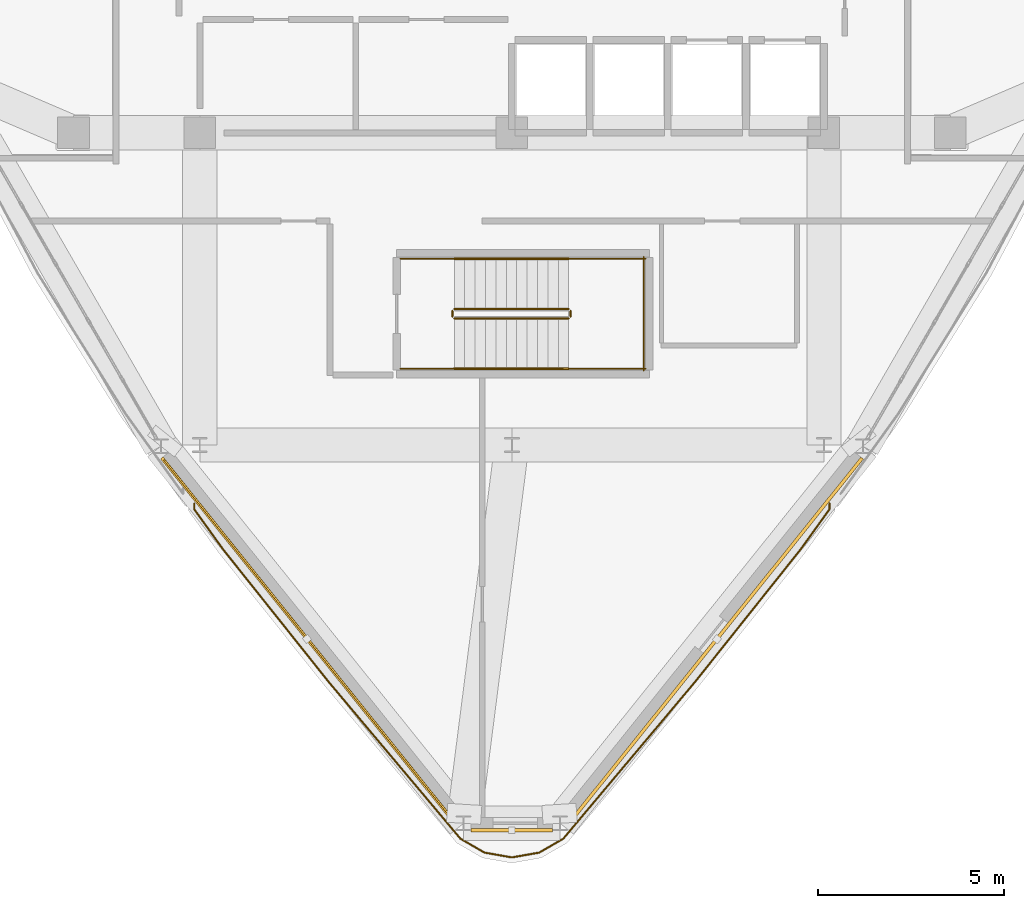
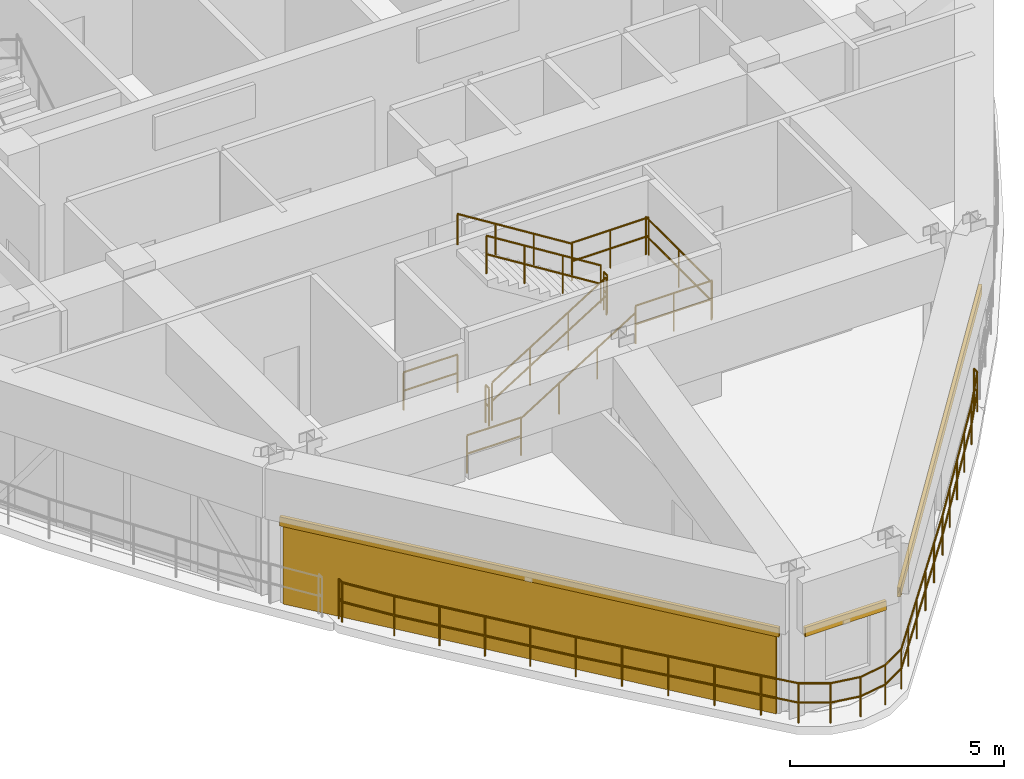
# One storey, part 15 of 18: 12 railings, 3 shading devices, 1 covering.
"""IFC4 building model written with IfcOpenShell, lengths in metres."""

import ifcopenshell
import ifcopenshell.guid

model = None  # the IFC model being written
_history = None  # IfcOwnerHistory: only IFC2X3 demands one
_inside = {}  # id of a spatial element -> (the spatial element, [elements in it])
_under = {}  # id of a project, library or spatial element -> (it, [spatial elements below it])
_declared = {}  # id of a project -> (the project, [libraries it declares])
_typed = {}  # id of a type object -> (the type object, [elements of that type])
_made_of = {}  # id of a material, layer set ... -> (it, [elements and type objects made of it])


def new_model(schema):
    """Start an empty IFC model of exactly this schema.

    Asked for "IFC4X3", IfcOpenShell would pick the latest addendum, in which some entities
    have other attributes; the version numbers below select the first issue.
    IFC2X3 requires an IfcOwnerHistory on every rooted entity: one is made here for all.
    """
    global model, _history
    if schema == "IFC4X3":
        model = ifcopenshell.file(schema_version=(4, 3, 0, 0))
    else:
        model = ifcopenshell.file(schema=schema)
    _inside.clear()
    _under.clear()
    _declared.clear()
    _typed.clear()
    _made_of.clear()
    _history = None
    if model.schema == "IFC2X3":
        org = make("IfcOrganization", Name="unknown")
        user = make(
            "IfcPersonAndOrganization",
            ThePerson=make("IfcPerson", FamilyName="unknown"),
            TheOrganization=org,
        )
        app = make(
            "IfcApplication",
            ApplicationDeveloper=org,
            Version="unknown",
            ApplicationFullName="unknown",
            ApplicationIdentifier="unknown",
        )
        _history = make(
            "IfcOwnerHistory",
            OwningUser=user,
            OwningApplication=app,
            ChangeAction="ADDED",
            CreationDate=0,
        )
    return model


def make(cls, **values):
    """One entity of the class cls with the attributes given. An attribute that is None is left unset."""
    return model.create_entity(
        cls, **{name: value for name, value in values.items() if value is not None}
    )


def rooted(cls, **values):
    """An entity with a GlobalId (a new one), such as an element, a storey or a relation."""
    return make(cls, GlobalId=ifcopenshell.guid.new(), OwnerHistory=_history, **values)


def si_unit(unit_type, name, prefix=None):
    """IfcSIUnit, for example si_unit("LENGTHUNIT", "METRE", prefix="MILLI")."""
    return make("IfcSIUnit", UnitType=unit_type, Prefix=prefix, Name=name)


def derived_unit(unit_type, elements):
    """IfcDerivedUnit: a product of units, each with its exponent."""
    return make(
        "IfcDerivedUnit",
        Elements=[
            make("IfcDerivedUnitElement", Unit=unit, Exponent=power)
            for unit, power in elements
        ],
        UnitType=unit_type,
    )


def assignment(units):
    """IfcUnitAssignment: the units of a project."""
    return None if units is None else make("IfcUnitAssignment", Units=units)


def point(xyz):
    """IfcCartesianPoint."""
    return None if xyz is None else make("IfcCartesianPoint", Coordinates=xyz)


def direction(xyz):
    """IfcDirection."""
    return None if xyz is None else make("IfcDirection", DirectionRatios=xyz)


def frame(location, z_axis=None, x_axis=None):
    """IfcAxis2Placement3D, a coordinate frame: its origin and axes. An axis left out is left unset."""
    return make(
        "IfcAxis2Placement3D",
        Location=point(location),
        Axis=direction(z_axis),
        RefDirection=direction(x_axis),
    )


def frame_2d(location, x_axis=None):
    """IfcAxis2Placement2D, a coordinate frame in the plane: its origin and x axis."""
    return make(
        "IfcAxis2Placement2D", Location=point(location), RefDirection=direction(x_axis)
    )


def origin():
    """The frame at (0, 0, 0) with its axes left unset."""
    return frame((0.0, 0.0, 0.0))


def origin_2d():
    """The frame at (0, 0) in the plane with its x axis left unset."""
    return frame_2d((0.0, 0.0))


def place(relative_to, where):
    """IfcLocalPlacement: puts the frame where relative to a parent placement (None: the world)."""
    return make(
        "IfcLocalPlacement", PlacementRelTo=relative_to, RelativePlacement=where
    )


def context(
    kind, dimensions, precision=None, world=None, true_north=None, identifier=None
):
    """IfcGeometricRepresentationContext, for example the 3D "Model" context."""
    return make(
        "IfcGeometricRepresentationContext",
        ContextIdentifier=identifier,
        ContextType=kind,
        CoordinateSpaceDimension=dimensions,
        Precision=precision,
        WorldCoordinateSystem=world,
        TrueNorth=true_north,
    )


def subcontext(parent, identifier, kind, view, scale=None):
    """IfcGeometricRepresentationSubContext, for example "Body" below "Model"."""
    return make(
        "IfcGeometricRepresentationSubContext",
        ContextIdentifier=identifier,
        ContextType=kind,
        ParentContext=parent,
        TargetScale=scale,
        TargetView=view,
    )


def project(units=None, contexts=None):
    """IfcProject with its units and contexts."""
    return rooted(
        "IfcProject",
        Name="project",
        RepresentationContexts=contexts,
        UnitsInContext=assignment(units),
    )


def spatial(cls, under=None, at=None, **own):
    """A site, building, storey or space (cls), placed at a placement, below another one or the project."""
    s = rooted(cls, ObjectPlacement=at, **own)
    if under is not None:
        _under.setdefault(under.id(), (under, []))[1].append(s)
    return s


def polyline(points):
    """IfcPolyline through the points."""
    return make("IfcPolyline", Points=[point(p) for p in points])


def profile(cls, at=None, kind="AREA", **sizes):
    """A parametric profile (cls). Its sizes go by their IFC names, for example OverallWidth=200.0."""
    return make(cls, ProfileType=kind, Position=at, **sizes)


def hollow_rectangle(**sizes):
    """IfcRectangleHollowProfileDef."""
    return profile("IfcRectangleHollowProfileDef", **sizes)


def circle(**sizes):
    """IfcCircleProfileDef."""
    return profile("IfcCircleProfileDef", **sizes)


def outline(outer, holes=None, kind="AREA"):
    """IfcArbitraryClosedProfileDef: a profile drawn as a closed curve; with holes, ...WithVoids."""
    if holes is None:
        return make("IfcArbitraryClosedProfileDef", ProfileType=kind, OuterCurve=outer)
    return make(
        "IfcArbitraryProfileDefWithVoids",
        ProfileType=kind,
        OuterCurve=outer,
        InnerCurves=holes,
    )


def extrude(swept, where, along, depth):
    """IfcExtrudedAreaSolid: the profile swept, set in the frame where, extruded along a direction by depth."""
    return make(
        "IfcExtrudedAreaSolid",
        SweptArea=swept,
        Position=where,
        ExtrudedDirection=direction(along),
        Depth=depth,
    )


def shape(context_of_items, identifier, shape_type, items):
    """IfcShapeRepresentation: the items that make up one representation, for example the "Body"."""
    return make(
        "IfcShapeRepresentation",
        ContextOfItems=context_of_items,
        RepresentationIdentifier=identifier,
        RepresentationType=shape_type,
        Items=items,
    )


def source(mapping_origin, context_of_items, identifier, shape_type, items):
    """IfcRepresentationMap: a shape defined once, which mapped items show again and again."""
    return make(
        "IfcRepresentationMap",
        MappingOrigin=mapping_origin,
        MappedRepresentation=shape(context_of_items, identifier, shape_type, items),
    )


def transform(
    local_origin,
    x_axis=None,
    y_axis=None,
    z_axis=None,
    scale=None,
    scale2=None,
    scale3=None,
    uniform=True,
):
    """IfcCartesianTransformationOperator3D, or its non-uniform kind. x_axis, y_axis, z_axis: its Axis1, 2, 3."""
    if uniform:
        return make(
            "IfcCartesianTransformationOperator3D",
            Axis1=direction(x_axis),
            Axis2=direction(y_axis),
            LocalOrigin=point(local_origin),
            Scale=scale,
            Axis3=direction(z_axis),
        )
    return make(
        "IfcCartesianTransformationOperator3DnonUniform",
        Axis1=direction(x_axis),
        Axis2=direction(y_axis),
        LocalOrigin=point(local_origin),
        Scale=scale,
        Axis3=direction(z_axis),
        Scale2=scale2,
        Scale3=scale3,
    )


def mapped(mapping_source, mapping_target):
    """IfcMappedItem: shows the shape of a source again, moved by a transform."""
    return make(
        "IfcMappedItem", MappingSource=mapping_source, MappingTarget=mapping_target
    )


def material(Name=None, Category=None):
    """IfcMaterial."""
    return make("IfcMaterial", Name=Name, Category=Category)


def layer(
    of_material, thickness, ventilated=None, Name=None, Category=None, Priority=None
):
    """IfcMaterialLayer: one layer of a wall or slab, of a material (None: an air gap)."""
    return make(
        "IfcMaterialLayer",
        Material=of_material,
        LayerThickness=thickness,
        IsVentilated=ventilated,
        Name=Name,
        Category=Category,
        Priority=Priority,
    )


def layer_set(layers, Name=None):
    """IfcMaterialLayerSet."""
    return make("IfcMaterialLayerSet", MaterialLayers=layers, LayerSetName=Name)


def material_profile(
    of_material, cross_section, Name=None, Category=None, Priority=None
):
    """IfcMaterialProfile: a cross section and its material."""
    return make(
        "IfcMaterialProfile",
        Name=Name,
        Material=of_material,
        Profile=cross_section,
        Priority=Priority,
        Category=Category,
    )


def profile_set(profiles, Name=None, composite=None):
    """IfcMaterialProfileSet."""
    return make(
        "IfcMaterialProfileSet",
        Name=Name,
        MaterialProfiles=profiles,
        CompositeProfile=composite,
    )


def made_of(thing, what):
    """Note that an element or type object is made of a material, layer set ...; save() writes the relation."""
    if what is not None:
        _made_of.setdefault(what.id(), (what, []))[1].append(thing)
    return thing


def type_object(cls, material=None, **own):
    """A type object (cls), such as IfcWallType, which elements share."""
    return made_of(rooted(cls, **own), material)


def element(
    cls,
    number,
    at=None,
    inside=None,
    cuts=None,
    type_object=None,
    material=None,
    context=None,
    identifier="Body",
    shape_type=None,
    held_by="IfcProductDefinitionShape",
    body=None,
    shapes=None,
    **own,
):
    """One element of the class cls, such as IfcWall. Its Tag is "e" and its number.

    at: its placement. inside: the storey or other place that contains it. cuts: it is an
    opening in that element (IfcRelVoidsElement). A single representation is given by context,
    identifier, shape_type and body (its items); several are given by shapes. held_by: the class
    of the entity that holds the representations. save() writes the other relations.
    """
    e = rooted(cls, Tag="e%d" % number, ObjectPlacement=at, **own)
    if body is not None:
        shapes = [shape(context, identifier, shape_type, body)]
    if shapes is not None:
        e.Representation = make(held_by, Representations=shapes)
    if inside is not None:
        _inside.setdefault(inside.id(), (inside, []))[1].append(e)
    if cuts is not None:
        rooted(
            "IfcRelVoidsElement", RelatingBuildingElement=cuts, RelatedOpeningElement=e
        )
    if type_object is not None:
        _typed.setdefault(type_object.id(), (type_object, []))[1].append(e)
    return made_of(e, material)


def aggregate(whole, parts):
    """IfcRelAggregates: a whole, such as a stair, and the parts it consists of."""
    return rooted("IfcRelAggregates", RelatingObject=whole, RelatedObjects=parts)


def save(model, path):
    """Write the relations noted so far, then the file.

    IfcRelAggregates (storeys below a building ...), IfcRelContainedInSpatialStructure (elements
    in a storey), IfcRelDefinesByType, IfcRelAssociatesMaterial and IfcRelDeclares: one each for
    every whole, place, type object, material and project.
    """
    for whole, parts in _under.values():
        aggregate(whole, parts)
    for where, things in _inside.values():
        rooted(
            "IfcRelContainedInSpatialStructure",
            RelatedElements=things,
            RelatingStructure=where,
        )
    for kind, things in _typed.values():
        rooted("IfcRelDefinesByType", RelatedObjects=things, RelatingType=kind)
    for what, things in _made_of.values():
        rooted("IfcRelAssociatesMaterial", RelatedObjects=things, RelatingMaterial=what)
    for by, libraries in _declared.values():
        rooted("IfcRelDeclares", RelatingContext=by, RelatedDefinitions=libraries)
    model.write(path)


model = new_model("IFC4")

# Units and contexts
model_context = context("Model", 3, precision=1e-05, world=origin(), true_north=direction((0.0, 1.0)))
body_context = subcontext(model_context, "Body", "Model", "MODEL_VIEW")
ifc_project = project(units=[si_unit("LENGTHUNIT", "METRE"), si_unit("AREAUNIT", "SQUARE_METRE"), si_unit("VOLUMEUNIT", "CUBIC_METRE"), si_unit("PLANEANGLEUNIT", "RADIAN"), si_unit("MASSUNIT", "GRAM", prefix="KILO"), derived_unit("THERMALTRANSMITTANCEUNIT", [(si_unit("POWERUNIT", "WATT"), 1), (si_unit("LENGTHUNIT", "METRE"), -2), (si_unit("THERMODYNAMICTEMPERATUREUNIT", "KELVIN"), -1)])], contexts=[model_context])

# Site, building, storey
site_placement = place(None, origin())
site = spatial("IfcSite", under=ifc_project, at=site_placement, CompositionType="ELEMENT")
building_placement = place(site_placement, origin())
building = spatial("IfcBuilding", under=site, at=building_placement, Name="Korsvarv Bourse and Concert Hall", CompositionType="ELEMENT")
storey_placement = place(building_placement, frame((0.0, 0.0, 275.39990234375)))
storey = spatial("IfcBuildingStorey", under=building, at=storey_placement, Name="L72", CompositionType="ELEMENT", Elevation=275.39990234375)

# Covering
ifc_material_1 = material(Name="Warm iron-oxide extruded terracotta rainscreen tile", Category="ceramic")
ifc_layer = layer(ifc_material_1, 0.044921875)
ifc_layer_set = layer_set([ifc_layer], Name="Warm iron-oxide extruded terracotta rainscreen tile")
covering_type = type_object("IfcCoveringType", Name="COV-CLD-TC", PredefinedType="CLADDING", material=ifc_layer_set)
covering_placement = place(storey_placement, origin())
element("IfcCovering", 1, at=covering_placement, inside=storey, type_object=covering_type, Name="L72 fluted terracotta cladding panel EW-L72-B08", PredefinedType="CLADDING", context=body_context, shape_type="SweptSolid", body=[
    extrude(outline(polyline([(26.6611328125, 23.613037109375), (34.381103515625, 13.996337890625), (34.34619140625, 13.968017578125), (26.626220703125, 23.5849609375), (26.6611328125, 23.613037109375)])), origin(), (0.0, 0.0, 1.0), 2.2001953125),
])

# Railings
ifc_material_2 = material(Name="Laminated safety glass and stainless Steel S355 balustrade", Category="steel")
railing_type_1 = type_object("IfcRailingType", Name="RL-BAL-EXT", PredefinedType="BALUSTRADE", material=ifc_material_2)
railing_1_placement = place(storey_placement, frame((44.550048828125, 22.423095703125, 0.0)))
element("IfcRailing", 2, at=railing_1_placement, inside=storey, type_object=railing_type_1, Name="L72 terrace perimeter balustrade SKYG3-1", PredefinedType="BALUSTRADE", context=body_context, shape_type="SweptSolid", body=[
    extrude(circle(Radius=0.02392578125, at=origin_2d()), frame((0.0, 0.0, 1.1259765625), z_axis=(0.0, -1.0, 0.0), x_axis=(1.0, 0.0, 0.0)), (0.0, 0.0, 1.0), 0.155517578125),
    extrude(circle(Radius=0.02392578125, at=origin_2d()), frame((0.0, 0.0, 0.574951171875), z_axis=(0.0, -1.0, 0.0), x_axis=(1.0, 0.0, 0.0)), (0.0, 0.0, 1.0), 0.155517578125),
    extrude(circle(Radius=0.02392578125, at=origin_2d()), frame((0.0, -0.155517578125, 1.1259765625), z_axis=(-0.584058636219, -0.81171146934, 0.0), x_axis=(0.81171146934, -0.584058636219, 0.0)), (0.0, 0.0, 1.0), 1.3330078125),
    extrude(circle(Radius=0.02392578125, at=origin_2d()), frame((0.0, -0.155517578125, 0.574951171875), z_axis=(-0.584058636219, -0.81171146934, 0.0), x_axis=(0.81171146934, -0.584058636219, 0.0)), (0.0, 0.0, 1.0), 1.3330078125),
    extrude(circle(Radius=0.02392578125, at=origin_2d()), frame((-0.778564453125, -1.237548828125, 1.1259765625), z_axis=(-0.623102616337, -0.782140095836, 0.0), x_axis=(0.782140095836, -0.623102616337, 0.0)), (0.0, 0.0, 1.0), 4.547119140625),
    extrude(circle(Radius=0.02392578125, at=origin_2d()), frame((-0.778564453125, -1.237548828125, 0.574951171875), z_axis=(-0.623102616337, -0.782140095836, 0.0), x_axis=(0.782140095836, -0.623102616337, 0.0)), (0.0, 0.0, 1.0), 4.547119140625),
    extrude(circle(Radius=0.02392578125, at=origin_2d()), frame((-3.61181640625, -4.7939453125, 1.1259765625), z_axis=(-0.6434039364, -0.765526860812, 0.0), x_axis=(0.765526860812, -0.6434039364, 0.0)), (0.0, 0.0, 1.0), 4.593994140625),
    extrude(circle(Radius=0.02392578125, at=origin_2d()), frame((-3.61181640625, -4.7939453125, 0.574951171875), z_axis=(-0.6434039364, -0.765526860812, 0.0), x_axis=(0.765526860812, -0.6434039364, 0.0)), (0.0, 0.0, 1.0), 4.593994140625),
    extrude(circle(Radius=0.02392578125, at=origin_2d()), frame((-6.567626953125, -8.310791015625, 1.1259765625), z_axis=(-0.642865748238, -0.765978870298, 0.0), x_axis=(0.765978870298, -0.642865748238, 0.0)), (0.0, 0.0, 1.0), 0.93017578125),
    extrude(circle(Radius=0.02392578125, at=origin_2d()), frame((-6.567626953125, -8.310791015625, 0.574951171875), z_axis=(-0.642865748238, -0.765978870298, 0.0), x_axis=(0.765978870298, -0.642865748238, 0.0)), (0.0, 0.0, 1.0), 0.93017578125),
    extrude(circle(Radius=0.02392578125, at=origin_2d()), frame((-7.16552734375, -9.023193359375, 1.1259765625), z_axis=(-0.865984448825, -0.500070929363, 0.0), x_axis=(0.500070929363, -0.865984448825, 0.0)), (0.0, 0.0, 1.0), 0.748046875),
    extrude(circle(Radius=0.02392578125, at=origin_2d()), frame((-7.16552734375, -9.023193359375, 0.574951171875), z_axis=(-0.865984448825, -0.500070929363, 0.0), x_axis=(0.500070929363, -0.865984448825, 0.0)), (0.0, 0.0, 1.0), 0.748046875),
    extrude(circle(Radius=0.02392578125, at=origin_2d()), frame((-7.813232421875, -9.397216796875, 1.1259765625), z_axis=(-0.984816391651, -0.173599178383, 0.0), x_axis=(0.173599178383, -0.984816391651, 0.0)), (0.0, 0.0, 1.0), 0.748291015625),
    extrude(circle(Radius=0.02392578125, at=origin_2d()), frame((-7.813232421875, -9.397216796875, 0.574951171875), z_axis=(-0.984816391651, -0.173599178383, 0.0), x_axis=(0.173599178383, -0.984816391651, 0.0)), (0.0, 0.0, 1.0), 0.748291015625),
    extrude(circle(Radius=0.02392578125, at=origin_2d()), frame((-8.550048828125, -9.527099609375, 1.1259765625), z_axis=(-0.984816391651, 0.173599178383, 0.0), x_axis=(-0.173599178383, -0.984816391651, 0.0)), (0.0, 0.0, 1.0), 0.748291015625),
    extrude(circle(Radius=0.02392578125, at=origin_2d()), frame((-8.550048828125, -9.527099609375, 0.574951171875), z_axis=(-0.984816391651, 0.173599178383, 0.0), x_axis=(-0.173599178383, -0.984816391651, 0.0)), (0.0, 0.0, 1.0), 0.748291015625),
    extrude(circle(Radius=0.02392578125, at=origin_2d()), frame((-9.286865234375, -9.397216796875, 1.1259765625), z_axis=(-0.865984448825, 0.500070929363, 0.0), x_axis=(-0.500070929363, -0.865984448825, 0.0)), (0.0, 0.0, 1.0), 0.748046875),
    extrude(circle(Radius=0.02392578125, at=origin_2d()), frame((-9.286865234375, -9.397216796875, 0.574951171875), z_axis=(-0.865984448825, 0.500070929363, 0.0), x_axis=(-0.500070929363, -0.865984448825, 0.0)), (0.0, 0.0, 1.0), 0.748046875),
    extrude(circle(Radius=0.02392578125, at=origin_2d()), frame((-9.9345703125, -9.023193359375, 1.1259765625), z_axis=(-0.642890493164, 0.765958101856, 0.0), x_axis=(-0.765958101856, -0.642890493164, 0.0)), (0.0, 0.0, 1.0), 0.930419921875),
    extrude(circle(Radius=0.02392578125, at=origin_2d()), frame((-9.9345703125, -9.023193359375, 0.574951171875), z_axis=(-0.642890493164, 0.765958101856, 0.0), x_axis=(-0.765958101856, -0.642890493164, 0.0)), (0.0, 0.0, 1.0), 0.930419921875),
    extrude(circle(Radius=0.02392578125, at=origin_2d()), frame((-10.53271484375, -8.310546875, 1.1259765625), z_axis=(-0.643398967749, 0.765531036797, 0.0), x_axis=(-0.765531036797, -0.643398967749, 0.0)), (0.0, 0.0, 1.0), 4.59375),
    extrude(circle(Radius=0.02392578125, at=origin_2d()), frame((-10.53271484375, -8.310546875, 0.574951171875), z_axis=(-0.643398967749, 0.765531036797, 0.0), x_axis=(-0.765531036797, -0.643398967749, 0.0)), (0.0, 0.0, 1.0), 4.59375),
    extrude(circle(Radius=0.02392578125, at=origin_2d()), frame((-13.48828125, -4.7939453125, 1.1259765625), z_axis=(-0.623102616337, 0.782140095836, 0.0), x_axis=(-0.782140095836, -0.623102616337, 0.0)), (0.0, 0.0, 1.0), 4.547119140625),
    extrude(circle(Radius=0.02392578125, at=origin_2d()), frame((-13.48828125, -4.7939453125, 0.574951171875), z_axis=(-0.623102616337, 0.782140095836, 0.0), x_axis=(-0.782140095836, -0.623102616337, 0.0)), (0.0, 0.0, 1.0), 4.547119140625),
    extrude(circle(Radius=0.02392578125, at=origin_2d()), frame((-16.321533203125, -1.237548828125, 1.1259765625), z_axis=(-0.584058636219, 0.81171146934, 0.0), x_axis=(-0.81171146934, -0.584058636219, 0.0)), (0.0, 0.0, 1.0), 1.3330078125),
    extrude(circle(Radius=0.02392578125, at=origin_2d()), frame((-16.321533203125, -1.237548828125, 0.574951171875), z_axis=(-0.584058636219, 0.81171146934, 0.0), x_axis=(-0.81171146934, -0.584058636219, 0.0)), (0.0, 0.0, 1.0), 1.3330078125),
    extrude(circle(Radius=0.02392578125, at=origin_2d()), frame((-17.10009765625, -0.155517578125, 1.1259765625), z_axis=(0.0, 1.0, 0.0), x_axis=(-1.0, 0.0, 0.0)), (0.0, 0.0, 1.0), 0.155517578125),
    extrude(circle(Radius=0.02392578125, at=origin_2d()), frame((-17.10009765625, -0.155517578125, 0.574951171875), z_axis=(0.0, 1.0, 0.0), x_axis=(-1.0, 0.0, 0.0)), (0.0, 0.0, 1.0), 0.155517578125),
    extrude(circle(Radius=0.02099609375, at=origin_2d()), origin(), (0.0, 0.0, 1.0), 1.101806640625),
    extrude(circle(Radius=0.02099609375, at=origin_2d()), frame((0.0, -0.155517578125, 0.0)), (0.0, 0.0, 1.0), 1.101806640625),
    extrude(circle(Radius=0.02099609375, at=origin_2d()), frame((-0.778564453125, -1.237548828125, 0.0)), (0.0, 0.0, 1.0), 1.101806640625),
    extrude(circle(Radius=0.02099609375, at=origin_2d()), frame((-1.48681640625, -2.126708984375, 0.0)), (0.0, 0.0, 1.0), 1.101806640625),
    extrude(circle(Radius=0.02099609375, at=origin_2d()), frame((-2.1953125, -3.015625, 0.0)), (0.0, 0.0, 1.0), 1.101806640625),
    extrude(circle(Radius=0.02099609375, at=origin_2d()), frame((-2.903564453125, -3.90478515625, 0.0)), (0.0, 0.0, 1.0), 1.101806640625),
    extrude(circle(Radius=0.02099609375, at=origin_2d()), frame((-3.61181640625, -4.7939453125, 0.0)), (0.0, 0.0, 1.0), 1.101806640625),
    extrude(circle(Radius=0.02099609375, at=origin_2d()), frame((-4.350830078125, -5.673095703125, 0.0)), (0.0, 0.0, 1.0), 1.101806640625),
    extrude(circle(Radius=0.02099609375, at=origin_2d()), frame((-5.08984375, -6.55224609375, 0.0)), (0.0, 0.0, 1.0), 1.101806640625),
    extrude(circle(Radius=0.02099609375, at=origin_2d()), frame((-5.82861328125, -7.431640625, 0.0)), (0.0, 0.0, 1.0), 1.101806640625),
    extrude(circle(Radius=0.02099609375, at=origin_2d()), frame((-6.567626953125, -8.310791015625, 0.0)), (0.0, 0.0, 1.0), 1.101806640625),
    extrude(circle(Radius=0.02099609375, at=origin_2d()), frame((-7.16552734375, -9.023193359375, 0.0)), (0.0, 0.0, 1.0), 1.101806640625),
    extrude(circle(Radius=0.02099609375, at=origin_2d()), frame((-7.813232421875, -9.397216796875, 0.0)), (0.0, 0.0, 1.0), 1.101806640625),
    extrude(circle(Radius=0.02099609375, at=origin_2d()), frame((-8.550048828125, -9.527099609375, 0.0)), (0.0, 0.0, 1.0), 1.101806640625),
    extrude(circle(Radius=0.02099609375, at=origin_2d()), frame((-9.286865234375, -9.397216796875, 0.0)), (0.0, 0.0, 1.0), 1.101806640625),
    extrude(circle(Radius=0.02099609375, at=origin_2d()), frame((-9.9345703125, -9.023193359375, 0.0)), (0.0, 0.0, 1.0), 1.101806640625),
    extrude(circle(Radius=0.02099609375, at=origin_2d()), frame((-10.53271484375, -8.310546875, 0.0)), (0.0, 0.0, 1.0), 1.101806640625),
    extrude(circle(Radius=0.02099609375, at=origin_2d()), frame((-11.271484375, -7.431396484375, 0.0)), (0.0, 0.0, 1.0), 1.101806640625),
    extrude(circle(Radius=0.02099609375, at=origin_2d()), frame((-12.010498046875, -6.55224609375, 0.0)), (0.0, 0.0, 1.0), 1.101806640625),
    extrude(circle(Radius=0.02099609375, at=origin_2d()), frame((-12.74951171875, -5.673095703125, 0.0)), (0.0, 0.0, 1.0), 1.101806640625),
    extrude(circle(Radius=0.02099609375, at=origin_2d()), frame((-13.48828125, -4.7939453125, 0.0)), (0.0, 0.0, 1.0), 1.101806640625),
    extrude(circle(Radius=0.02099609375, at=origin_2d()), frame((-14.196533203125, -3.90478515625, 0.0)), (0.0, 0.0, 1.0), 1.101806640625),
    extrude(circle(Radius=0.02099609375, at=origin_2d()), frame((-14.90478515625, -3.015625, 0.0)), (0.0, 0.0, 1.0), 1.101806640625),
    extrude(circle(Radius=0.02099609375, at=origin_2d()), frame((-15.61328125, -2.126708984375, 0.0)), (0.0, 0.0, 1.0), 1.101806640625),
    extrude(circle(Radius=0.02099609375, at=origin_2d()), frame((-16.321533203125, -1.237548828125, 0.0)), (0.0, 0.0, 1.0), 1.101806640625),
    extrude(circle(Radius=0.02099609375, at=origin_2d()), frame((-17.10009765625, -0.155517578125, 0.0)), (0.0, 0.0, 1.0), 1.101806640625),
    extrude(circle(Radius=0.02099609375, at=origin_2d()), frame((-17.10009765625, 0.0, 0.0)), (0.0, 0.0, 1.0), 1.101806640625),
])
ifc_material_3 = material(Name="Painted Steel S355 stair well guardrail", Category="steel")
railing_type_2 = type_object("IfcRailingType", Name="RL-ST-GRD", PredefinedType="GUARDRAIL", material=ifc_material_3)
railing_2_placement = place(storey_placement, frame((34.449951171875, 27.39990234375, 0.175048828125)))
element("IfcRailing", 3, at=railing_2_placement, inside=storey, type_object=railing_type_2, Name="L72 ST-LK1 stair guard 1", PredefinedType="GUARDRAIL", context=body_context, shape_type="SweptSolid", body=[
    extrude(circle(Radius=0.02392578125, at=origin_2d()), frame((0.0, 0.0, 1.076171875), z_axis=(0.847998304005, 0.0, 0.529998940003), x_axis=(0.0, 1.0, 0.0)), (0.0, 0.0, 1.0), 3.632080078125),
    extrude(circle(Radius=0.02392578125, at=origin_2d()), frame((0.0, 0.0, 0.550048828125), z_axis=(0.847998304005, 0.0, 0.529998940003), x_axis=(0.0, 1.0, 0.0)), (0.0, 0.0, 1.0), 3.632080078125),
    extrude(circle(Radius=0.02099609375, at=origin_2d()), origin(), (0.0, 0.0, 1.0), 1.052001953125),
    extrude(circle(Radius=0.02099609375, at=origin_2d()), frame((1.026611328125, 0.0, 0.6416015625)), (0.0, 0.0, 1.0), 1.052001953125),
    extrude(circle(Radius=0.02099609375, at=origin_2d()), frame((2.053466796875, 0.0, 1.283447265625)), (0.0, 0.0, 1.0), 1.052001953125),
    extrude(circle(Radius=0.02099609375, at=origin_2d()), frame((3.080078125, 0.0, 1.925048828125)), (0.0, 0.0, 1.0), 1.052001953125),
])
railing_3_placement = place(storey_placement, frame((37.580078125, 27.449951171875, 2.10009765625)))
element("IfcRailing", 4, at=railing_3_placement, inside=storey, type_object=railing_type_2, Name="L72 ST-LK1 stair guard 2", PredefinedType="GUARDRAIL", context=body_context, shape_type="SweptSolid", body=[
    extrude(circle(Radius=0.02392578125, at=origin_2d()), frame((0.0, 0.0, 1.076171875), z_axis=(0.0, 1.0, 0.0), x_axis=(-1.0, 0.0, 0.0)), (0.0, 0.0, 1.0), 0.16015625),
    extrude(circle(Radius=0.02392578125, at=origin_2d()), frame((0.0, 0.0, 0.550048828125), z_axis=(0.0, 1.0, 0.0), x_axis=(-1.0, 0.0, 0.0)), (0.0, 0.0, 1.0), 0.16015625),
    extrude(circle(Radius=0.02099609375, at=origin_2d()), origin(), (0.0, 0.0, 1.0), 1.052001953125),
    extrude(circle(Radius=0.02099609375, at=origin_2d()), frame((0.0, 0.16015625, 0.0)), (0.0, 0.0, 1.0), 1.052001953125),
])
for number, where, name in (
    (5, (37.530029296875, 26.050048828125, 2.10009765625), "L72 ST-LK1 stair guard 3"),
    (6, (37.530029296875, 29.010009765625, 2.10009765625), "L72 ST-LK1 stair guard 4"),
):
    element("IfcRailing", number, at=place(storey_placement, frame(where)), inside=storey, type_object=railing_type_2, Name=name, PredefinedType="GUARDRAIL", context=body_context, shape_type="SweptSolid", body=[
        extrude(circle(Radius=0.02392578125, at=origin_2d()), frame((0.0, 0.0, 1.076171875), z_axis=(1.0, 0.0, 0.0), x_axis=(0.0, 1.0, 0.0)), (0.0, 0.0, 1.0), 2.070068359375),
        extrude(circle(Radius=0.02392578125, at=origin_2d()), frame((0.0, 0.0, 0.550048828125), z_axis=(1.0, 0.0, 0.0), x_axis=(0.0, 1.0, 0.0)), (0.0, 0.0, 1.0), 2.070068359375),
        extrude(circle(Radius=0.02099609375, at=origin_2d()), origin(), (0.0, 0.0, 1.0), 1.052001953125),
        extrude(circle(Radius=0.02099609375, at=origin_2d()), frame((1.03515625, 0.0, 0.0)), (0.0, 0.0, 1.0), 1.052001953125),
        extrude(circle(Radius=0.02099609375, at=origin_2d()), frame((2.070068359375, 0.0, 0.0)), (0.0, 0.0, 1.0), 1.052001953125),
    ])
railing_4_placement = place(storey_placement, frame((39.550048828125, 26.0, 2.10009765625)))
element("IfcRailing", 7, at=railing_4_placement, inside=storey, type_object=railing_type_2, Name="L72 ST-LK1 stair guard 5", PredefinedType="GUARDRAIL", context=body_context, shape_type="SweptSolid", body=[
    extrude(circle(Radius=0.02392578125, at=origin_2d()), frame((0.0, 0.0, 1.076171875), z_axis=(0.0, 1.0, 0.0), x_axis=(-1.0, 0.0, 0.0)), (0.0, 0.0, 1.0), 3.06005859375),
    extrude(circle(Radius=0.02392578125, at=origin_2d()), frame((0.0, 0.0, 0.550048828125), z_axis=(0.0, 1.0, 0.0), x_axis=(-1.0, 0.0, 0.0)), (0.0, 0.0, 1.0), 3.06005859375),
    extrude(circle(Radius=0.02099609375, at=origin_2d()), origin(), (0.0, 0.0, 1.0), 1.052001953125),
    extrude(circle(Radius=0.02099609375, at=origin_2d()), frame((0.0, 1.530029296875, 0.0)), (0.0, 0.0, 1.0), 1.052001953125),
    extrude(circle(Radius=0.02099609375, at=origin_2d()), frame((0.0, 3.06005859375, 0.0)), (0.0, 0.0, 1.0), 1.052001953125),
])
railing_5_placement = place(storey_placement, frame((37.530029296875, 27.659912109375, 2.275146484375)))
element("IfcRailing", 8, at=railing_5_placement, inside=storey, type_object=railing_type_2, Name="L72 ST-LK1 stair guard 6", PredefinedType="GUARDRAIL", context=body_context, shape_type="SweptSolid", body=[
    extrude(circle(Radius=0.02392578125, at=origin_2d()), frame((0.0, 0.0, 1.076171875), z_axis=(-0.847998304005, 0.0, 0.529998940003), x_axis=(0.0, -1.0, 0.0)), (0.0, 0.0, 1.0), 3.632080078125),
    extrude(circle(Radius=0.02392578125, at=origin_2d()), frame((0.0, 0.0, 0.550048828125), z_axis=(-0.847998304005, 0.0, 0.529998940003), x_axis=(0.0, -1.0, 0.0)), (0.0, 0.0, 1.0), 3.632080078125),
    extrude(circle(Radius=0.02099609375, at=origin_2d()), origin(), (0.0, 0.0, 1.0), 1.052001953125),
    extrude(circle(Radius=0.02099609375, at=origin_2d()), frame((-1.026611328125, 0.0, 0.6416015625)), (0.0, 0.0, 1.0), 1.052001953125),
    extrude(circle(Radius=0.02099609375, at=origin_2d()), frame((-2.053466796875, 0.0, 1.283447265625)), (0.0, 0.0, 1.0), 1.052001953125),
    extrude(circle(Radius=0.02099609375, at=origin_2d()), frame((-3.080078125, 0.0, 1.925048828125)), (0.0, 0.0, 1.0), 1.052001953125),
])
railing_6_placement = place(storey_placement, frame((34.39990234375, 27.449951171875, 0.0)))
element("IfcRailing", 9, at=railing_6_placement, inside=storey, type_object=railing_type_2, Name="L72 ST-LK1 stair guard 7", PredefinedType="GUARDRAIL", context=body_context, shape_type="SweptSolid", body=[
    extrude(circle(Radius=0.02392578125, at=origin_2d()), frame((0.0, 0.0, 1.076171875), z_axis=(0.0, 1.0, 0.0), x_axis=(-1.0, 0.0, 0.0)), (0.0, 0.0, 1.0), 0.16015625),
    extrude(circle(Radius=0.02392578125, at=origin_2d()), frame((0.0, 0.0, 0.550048828125), z_axis=(0.0, 1.0, 0.0), x_axis=(-1.0, 0.0, 0.0)), (0.0, 0.0, 1.0), 0.16015625),
    extrude(circle(Radius=0.02099609375, at=origin_2d()), origin(), (0.0, 0.0, 1.0), 1.052001953125),
    extrude(circle(Radius=0.02099609375, at=origin_2d()), frame((0.0, 0.16015625, 0.0)), (0.0, 0.0, 1.0), 1.052001953125),
])
for number, where, name in (
    (10, (33.0, 26.050048828125, 0.0), "L72 ST-LK1 stair guard 8"),
    (11, (33.0, 29.010009765625, 0.0), "L72 ST-LK1 stair guard 9"),
):
    element("IfcRailing", number, at=place(storey_placement, frame(where)), inside=storey, type_object=railing_type_2, Name=name, PredefinedType="GUARDRAIL", context=body_context, shape_type="SweptSolid", body=[
        extrude(circle(Radius=0.02392578125, at=origin_2d()), frame((0.0, 0.0, 1.076171875), z_axis=(1.0, 0.0, 0.0), x_axis=(0.0, 1.0, 0.0)), (0.0, 0.0, 1.0), 1.449951171875),
        extrude(circle(Radius=0.02392578125, at=origin_2d()), frame((0.0, 0.0, 0.550048828125), z_axis=(1.0, 0.0, 0.0), x_axis=(0.0, 1.0, 0.0)), (0.0, 0.0, 1.0), 1.449951171875),
        extrude(circle(Radius=0.02099609375, at=origin_2d()), origin(), (0.0, 0.0, 1.0), 1.052001953125),
        extrude(circle(Radius=0.02099609375, at=origin_2d()), frame((1.449951171875, 0.0, 0.0)), (0.0, 0.0, 1.0), 1.052001953125),
    ])
ifc_material_4 = material(Name="Brushed stainless Steel S355 tubular handrail", Category="steel")
railing_type_3 = type_object("IfcRailingType", Name="RL-ST-HND", PredefinedType="HANDRAIL", material=ifc_material_4)
railing_7_placement = place(storey_placement, frame((34.449951171875, 26.050048828125, 0.175048828125)))
element("IfcRailing", 12, at=railing_7_placement, inside=storey, type_object=railing_type_3, Name="L72 ST-LK1 stair handrail 1", PredefinedType="HANDRAIL", context=body_context, shape_type="SweptSolid", body=[
    extrude(circle(Radius=0.02392578125, at=origin_2d()), frame((0.0, 0.0, 0.8759765625), z_axis=(0.847998304005, 0.0, 0.529998940003), x_axis=(0.0, 1.0, 0.0)), (0.0, 0.0, 1.0), 3.632080078125),
    extrude(circle(Radius=0.02099609375, at=origin_2d()), origin(), (0.0, 0.0, 1.0), 0.851806640625),
    extrude(circle(Radius=0.02099609375, at=origin_2d()), frame((1.026611328125, 0.0, 0.6416015625)), (0.0, 0.0, 1.0), 0.851806640625),
    extrude(circle(Radius=0.02099609375, at=origin_2d()), frame((2.053466796875, 0.0, 1.283447265625)), (0.0, 0.0, 1.0), 0.851806640625),
    extrude(circle(Radius=0.02099609375, at=origin_2d()), frame((3.080078125, 0.0, 1.925048828125)), (0.0, 0.0, 1.0), 0.851806640625),
])
railing_8_placement = place(storey_placement, frame((37.530029296875, 29.010009765625, 2.275146484375)))
element("IfcRailing", 13, at=railing_8_placement, inside=storey, type_object=railing_type_3, Name="L72 ST-LK1 stair handrail 2", PredefinedType="HANDRAIL", context=body_context, shape_type="SweptSolid", body=[
    extrude(circle(Radius=0.02392578125, at=origin_2d()), frame((0.0, 0.0, 0.8759765625), z_axis=(-0.847998304005, 0.0, 0.529998940003), x_axis=(0.0, -1.0, 0.0)), (0.0, 0.0, 1.0), 3.632080078125),
    extrude(circle(Radius=0.02099609375, at=origin_2d()), origin(), (0.0, 0.0, 1.0), 0.851806640625),
    extrude(circle(Radius=0.02099609375, at=origin_2d()), frame((-1.026611328125, 0.0, 0.6416015625)), (0.0, 0.0, 1.0), 0.851806640625),
    extrude(circle(Radius=0.02099609375, at=origin_2d()), frame((-2.053466796875, 0.0, 1.283447265625)), (0.0, 0.0, 1.0), 0.851806640625),
    extrude(circle(Radius=0.02099609375, at=origin_2d()), frame((-3.080078125, 0.0, 1.925048828125)), (0.0, 0.0, 1.0), 0.851806640625),
])

# Shading devices
ifc_material_5 = material(Name="Glazed extruded architectural terracotta", Category="ceramic")
ifc_material_profile = material_profile(ifc_material_5, hollow_rectangle(XDim=0.090087890625, YDim=0.260009765625, WallThickness=0.011962890625, at=origin_2d()), Name="TC-BAG 90x260")
ifc_profile_set = profile_set([ifc_material_profile], Name="Glazed extruded architectural terracotta")
shading_device_type = type_object("IfcShadingDeviceType", Name="SHD-BAG-1", PredefinedType="USERDEFINED", material=ifc_profile_set)
shared_shape_1 = source(origin(), body_context, "Body", "SweptSolid", [
    extrude(hollow_rectangle(XDim=0.090087890625, YDim=0.260009765625, WallThickness=0.011962890625, at=origin_2d()), origin(), (0.0, 0.0, 1.0), 12.4921875),
])
for number, where, z_axis, x_axis, name in (
    (14, (26.579833984375, 23.650390625, 2.360107421875), (0.625997871423, -0.779824765556, 0.0), (0.779824765556, 0.625997871423, 0.0), "L72 terracotta baguette sunshade EW-L72-B08"),
    (15, (37.60791015625, 13.902587890625, 2.360107421875), (0.625997871423, 0.779824765556, 0.0), (-0.779824765556, 0.625997871423, 0.0), "L72 terracotta baguette sunshade EW-L72-B10"),
):
    element("IfcShadingDevice", number, at=place(storey_placement, frame(where, z_axis=z_axis, x_axis=x_axis)), inside=storey, type_object=shading_device_type, Name=name, ObjectType="BAGUETTE", PredefinedType="USERDEFINED", context=body_context, shape_type="MappedRepresentation", body=[
        mapped(shared_shape_1, transform((0.0, 0.0, 0.0), scale=1.0)),
    ])
shared_shape_2 = source(origin(), body_context, "Body", "SweptSolid", [
    extrude(hollow_rectangle(XDim=0.090087890625, YDim=0.260009765625, WallThickness=0.011962890625, at=origin_2d()), origin(), (0.0, 0.0, 1.0), 2.1875),
])
shading_device_placement = place(storey_placement, frame((34.90625, 13.62890625, 2.360107421875), z_axis=(1.0, 0.0, 0.0), x_axis=(0.0, 1.0, 0.0)))
element("IfcShadingDevice", 16, at=shading_device_placement, inside=storey, type_object=shading_device_type, Name="L72 terracotta baguette sunshade EW-L72-B09", ObjectType="BAGUETTE", PredefinedType="USERDEFINED", context=body_context, shape_type="MappedRepresentation", body=[
    mapped(shared_shape_2, transform((0.0, 0.0, 0.0), scale=1.0)),
])

save(model, "model.ifc")
